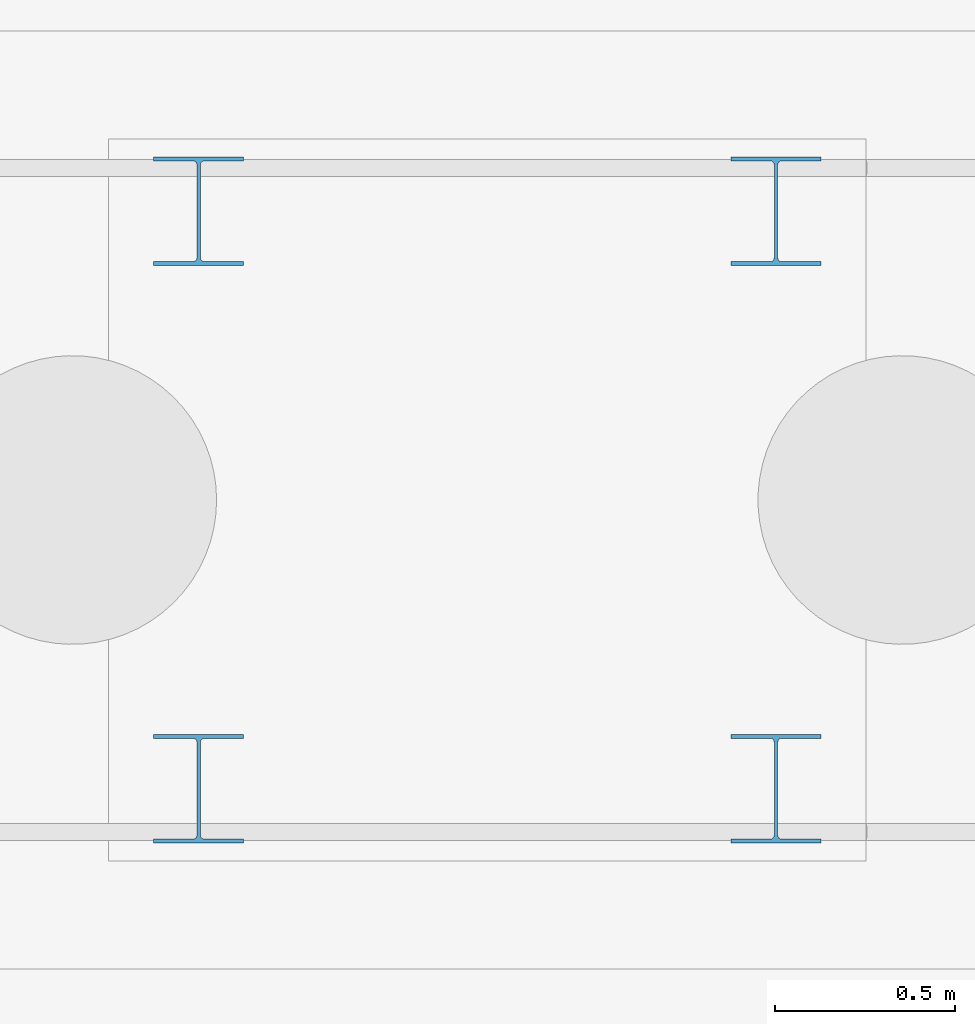
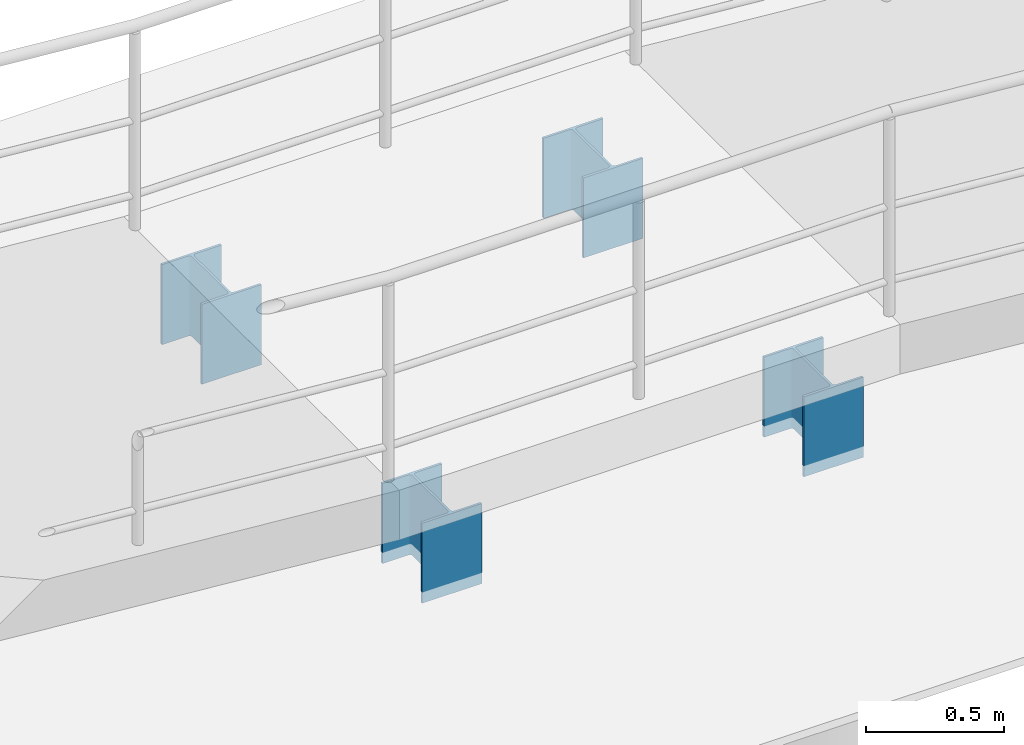
# One storey, part 24 of 147: 4 columns.
"""IFC4 building model written with IfcOpenShell, lengths in metres."""

from ifc_helpers import new_model, si_unit, direction, frame, origin, origin_2d, place, context, subcontext, project, spatial, i_section, extrude, material, material_profile, profile_set, type_object, element, save


model = new_model("IFC4")

# Units and contexts
model_context = context("Model", 3, precision=1e-05, world=origin(), true_north=direction((0.0, 1.0)))
body_context = subcontext(model_context, "Body", "Model", "MODEL_VIEW")
ifc_project = project(units=[si_unit("LENGTHUNIT", "METRE"), si_unit("AREAUNIT", "SQUARE_METRE"), si_unit("VOLUMEUNIT", "CUBIC_METRE"), si_unit("PLANEANGLEUNIT", "RADIAN"), si_unit("MASSUNIT", "GRAM", prefix="KILO")], contexts=[model_context])

# Site, building, storey
site_placement = place(None, origin())
site = spatial("IfcSite", under=ifc_project, at=site_placement, CompositionType="ELEMENT")
building_placement = place(site_placement, origin())
building = spatial("IfcBuilding", under=site, at=building_placement, Name="Varnabhumi Central Station", CompositionType="ELEMENT")
storey_placement = place(building_placement, origin())
storey = spatial("IfcBuildingStorey", under=building, at=storey_placement, Name="L00", CompositionType="ELEMENT", Elevation=0.0)

# Columns
ifc_material = material(Name="Structural steel E350", Category="steel")
ifc_material_profile = material_profile(ifc_material, i_section(OverallWidth=0.25, OverallDepth=0.300048828125, WebThickness=0.009521484375, FlangeThickness=0.010498046875, FilletRadius=0.010986328125, at=origin_2d()), Name="Structural steel E350", Category="steel")
ifc_profile_set = profile_set([ifc_material_profile], Name="Structural steel E350")
column_type = type_object("IfcColumnType", Name="COL-GALLERY-ISHB300", PredefinedType="COLUMN", material=ifc_profile_set)
for number, where, z_axis, x_axis, name in (
    (1, (196.64990234375, 23.300048828125, -1.10009765625), (0.0, 0.0, 1.0), (1.0, 0.0, 0.0), "RMP-WS-1 Landing Pier 1"),
    (2, (196.64990234375, 21.699951171875, -1.10009765625), (0.0, 0.0, 1.0), (1.0, 0.0, 0.0), "RMP-WS-1 Landing Pier 2"),
    (3, (195.050048828125, 23.300048828125, -1.10009765625), (0.0, 0.0, 1.0), (1.0, 0.0, 0.0), "RMP-WS-1 Landing Pier 3"),
    (4, (195.050048828125, 21.699951171875, -1.10009765625), (0.0, 0.0, 1.0), (1.0, 0.0, 0.0), "RMP-WS-1 Landing Pier 4"),
):
    element("IfcColumn", number, at=place(storey_placement, frame(where, z_axis=z_axis, x_axis=x_axis)), inside=storey, type_object=column_type, Name=name, PredefinedType="COLUMN", context=body_context, shape_type="SweptSolid", body=[
        extrude(i_section(OverallWidth=0.25, OverallDepth=0.300048828125, WebThickness=0.009521484375, FlangeThickness=0.010498046875, FilletRadius=0.010986328125, at=origin_2d()), origin(), (0.0, 0.0, 1.0), 0.35498046875),
    ])

save(model, "model.ifc")
